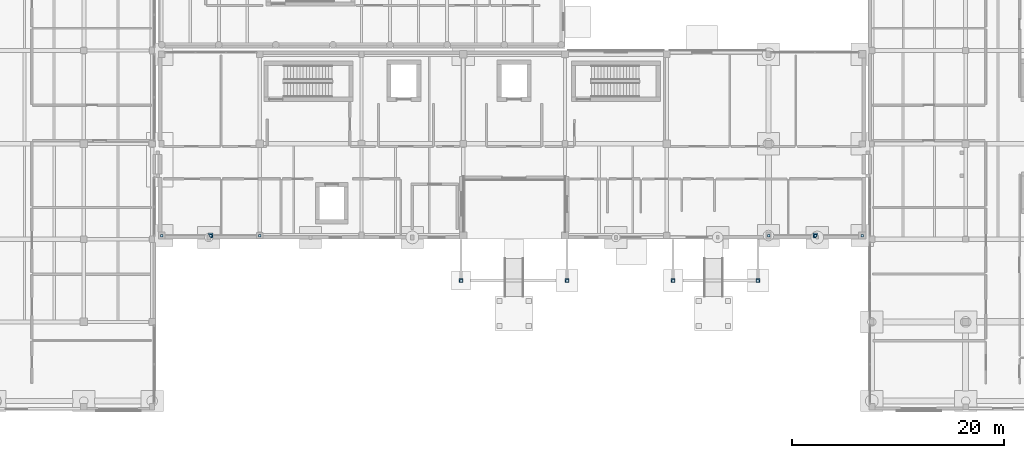
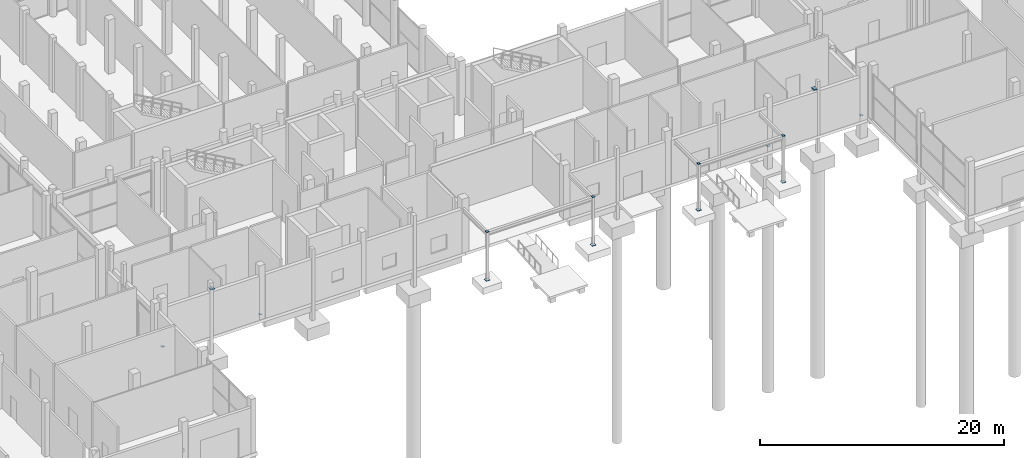
# One storey, part 53 of 88: 18 plates.
"""IFC4 building model written with IfcOpenShell, lengths in metres."""

from ifc_helpers import new_model, si_unit, direction, frame, origin, origin_2d, place, context, subcontext, project, spatial, rectangle, extrude, material, layer, layer_set, type_object, element, save


model = new_model("IFC4")

# Units and contexts
model_context = context("Model", 3, precision=1e-05, world=origin(), true_north=direction((0.0, 1.0)))
body_context = subcontext(model_context, "Body", "Model", "MODEL_VIEW")
ifc_project = project(units=[si_unit("LENGTHUNIT", "METRE"), si_unit("AREAUNIT", "SQUARE_METRE"), si_unit("VOLUMEUNIT", "CUBIC_METRE"), si_unit("PLANEANGLEUNIT", "RADIAN"), si_unit("MASSUNIT", "GRAM", prefix="KILO")], contexts=[model_context])

# Site, building, storey
site_placement = place(None, origin())
site = spatial("IfcSite", under=ifc_project, at=site_placement, CompositionType="ELEMENT")
building_placement = place(site_placement, origin())
building = spatial("IfcBuilding", under=site, at=building_placement, Name="Birchvale Park Specialist Clinic", CompositionType="ELEMENT")
storey_placement = place(building_placement, origin())
storey = spatial("IfcBuildingStorey", under=building, at=storey_placement, Name="L00", CompositionType="ELEMENT", Elevation=0.0)

# Plates
ifc_material = material(Name="Steel ASTM A572 Grade 50", Category="steel")
ifc_layer_1 = layer(ifc_material, 0.028076171875)
ifc_layer_set_1 = layer_set([ifc_layer_1], Name="Steel ASTM A572 Grade 50")
plate_type_1 = type_object("IfcPlateType", Name="PLT-BP2", PredefinedType="USERDEFINED", material=ifc_layer_set_1)
for number, where, z_axis, x_axis, name in (
    (1, (80.39990234375, 12.89990234375, -0.2998046875), (0.0, 0.0, 1.0), (1.0, 0.0, 0.0), "L00 canopy base plate 1"),
    (2, (90.39990234375, 12.89990234375, -0.2998046875), (0.0, 0.0, 1.0), (1.0, 0.0, 0.0), "L00 canopy base plate 2"),
    (3, (100.39990234375, 12.89990234375, -0.2998046875), (0.0, 0.0, 1.0), (1.0, 0.0, 0.0), "L00 canopy base plate 5"),
    (4, (108.39990234375, 12.89990234375, -0.2998046875), (0.0, 0.0, 1.0), (1.0, 0.0, 0.0), "L00 canopy base plate 6"),
):
    element("IfcPlate", number, at=place(storey_placement, frame(where, z_axis=z_axis, x_axis=x_axis)), inside=storey, type_object=plate_type_1, Name=name, ObjectType="BASE_PLATE", PredefinedType="USERDEFINED", context=body_context, shape_type="SweptSolid", body=[
        extrude(rectangle(XDim=0.360107421875, YDim=0.360107421875, at=origin_2d()), origin(), (0.0, 0.0, 1.0), 0.028076171875),
    ])
ifc_layer_2 = layer(ifc_material, 0.02197265625)
ifc_layer_set_2 = layer_set([ifc_layer_2], Name="Steel ASTM A572 Grade 50")
plate_type_2 = type_object("IfcPlateType", Name="PLT-EC5", PredefinedType="USERDEFINED", material=ifc_layer_set_2)
for number, where, z_axis, x_axis, name in (
    (5, (80.39990234375, 12.89990234375, 4.528076171875), (0.0, 0.0, 1.0), (1.0, 0.0, 0.0), "L00 canopy column cap plate 1"),
    (6, (90.39990234375, 12.89990234375, 4.528076171875), (0.0, 0.0, 1.0), (1.0, 0.0, 0.0), "L00 canopy column cap plate 2"),
    (7, (100.39990234375, 12.89990234375, 4.328125), (0.0, 0.0, 1.0), (1.0, 0.0, 0.0), "L00 canopy column cap plate 5"),
    (8, (108.39990234375, 12.89990234375, 4.328125), (0.0, 0.0, 1.0), (1.0, 0.0, 0.0), "L00 canopy column cap plate 6"),
):
    element("IfcPlate", number, at=place(storey_placement, frame(where, z_axis=z_axis, x_axis=x_axis)), inside=storey, type_object=plate_type_2, Name=name, ObjectType="BASE_PLATE", PredefinedType="USERDEFINED", context=body_context, shape_type="SweptSolid", body=[
        extrude(rectangle(XDim=0.25, YDim=0.25, at=origin_2d()), origin(), (0.0, 0.0, 1.0), 0.02197265625),
    ])
ifc_layer_3 = layer(ifc_material, 0.02001953125)
ifc_layer_set_3 = layer_set([ifc_layer_3], Name="Steel ASTM A572 Grade 50")
plate_type_3 = type_object("IfcPlateType", Name="PLT-EC6", PredefinedType="USERDEFINED", material=ifc_layer_set_3)
for number, where, z_axis, x_axis, name in (
    (9, (52.164794921875, 17.14990234375, 0.353271484375), (0.0, 0.0, 1.0), (1.0, 0.0, 0.0), "V4 L00 brace sealed cap plate 1.1.1"),
    (10, (56.76025390625, 17.14990234375, 4.5166015625), (0.0, 0.0, 1.0), (1.0, 0.0, 0.0), "V4 L00 brace sealed cap plate 1.1.2"),
    (11, (61.38525390625, 17.14990234375, 0.353271484375), (0.0, 0.0, 1.0), (1.0, 0.0, 0.0), "V4 L00 brace sealed cap plate 1.2.1"),
    (12, (56.789794921875, 17.14990234375, 4.5166015625), (0.0, 0.0, 1.0), (1.0, 0.0, 0.0), "V4 L00 brace sealed cap plate 1.2.2"),
    (13, (109.41455078125, 17.14990234375, 0.353759765625), (0.0, 0.0, 1.0), (1.0, 0.0, 0.0), "V4 L00 brace sealed cap plate 2.1.1"),
    (14, (113.810546875, 17.14990234375, 4.516357421875), (0.0, 0.0, 1.0), (1.0, 0.0, 0.0), "V4 L00 brace sealed cap plate 2.1.2"),
    (15, (118.235595703125, 17.14990234375, 0.353759765625), (0.0, 0.0, 1.0), (1.0, 0.0, 0.0), "V4 L00 brace sealed cap plate 2.2.1"),
    (16, (113.839599609375, 17.14990234375, 4.516357421875), (0.0, 0.0, 1.0), (1.0, 0.0, 0.0), "V4 L00 brace sealed cap plate 2.2.2"),
):
    element("IfcPlate", number, at=place(storey_placement, frame(where, z_axis=z_axis, x_axis=x_axis)), inside=storey, type_object=plate_type_3, Name=name, ObjectType="BASE_PLATE", PredefinedType="USERDEFINED", context=body_context, shape_type="SweptSolid", body=[
        extrude(rectangle(XDim=0.239990234375, YDim=0.239990234375, at=origin_2d()), origin(), (0.0, 0.0, 1.0), 0.02001953125),
    ])
ifc_layer_4 = layer(ifc_material, 0.02392578125)
ifc_layer_set_4 = layer_set([ifc_layer_4], Name="Steel ASTM A572 Grade 50")
plate_type_4 = type_object("IfcPlateType", Name="PLT-KN1", PredefinedType="USERDEFINED", material=ifc_layer_set_4)
for number, where, z_axis, x_axis, name in (
    (17, (56.77490234375, 17.14990234375, 4.5400390625), (0.0, 0.0, 1.0), (1.0, 0.0, 0.0), "V4 L00 braced-frame apex gusset plate KN1-1"),
    (18, (113.824951171875, 17.14990234375, 4.5400390625), (0.0, 0.0, 1.0), (1.0, 0.0, 0.0), "V4 L00 braced-frame apex gusset plate KN1-2"),
):
    element("IfcPlate", number, at=place(storey_placement, frame(where, z_axis=z_axis, x_axis=x_axis)), inside=storey, type_object=plate_type_4, Name=name, ObjectType="GUSSET_PLATE", PredefinedType="USERDEFINED", context=body_context, shape_type="SweptSolid", body=[
        extrude(rectangle(XDim=0.419921875, YDim=0.47998046875, at=origin_2d()), origin(), (0.0, 0.0, 1.0), 0.02392578125),
    ])

save(model, "model.ifc")
